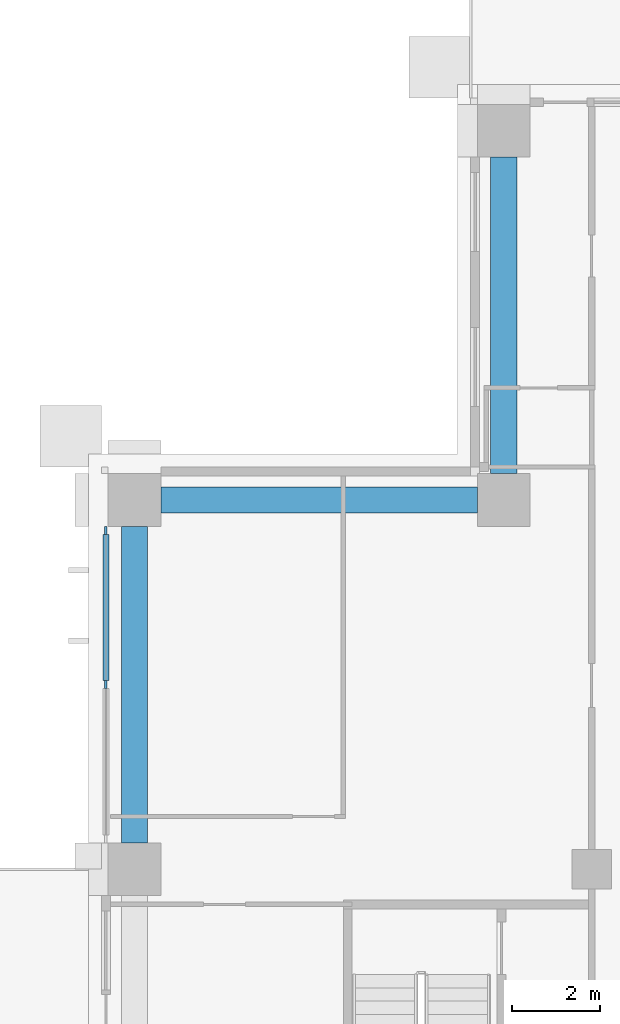
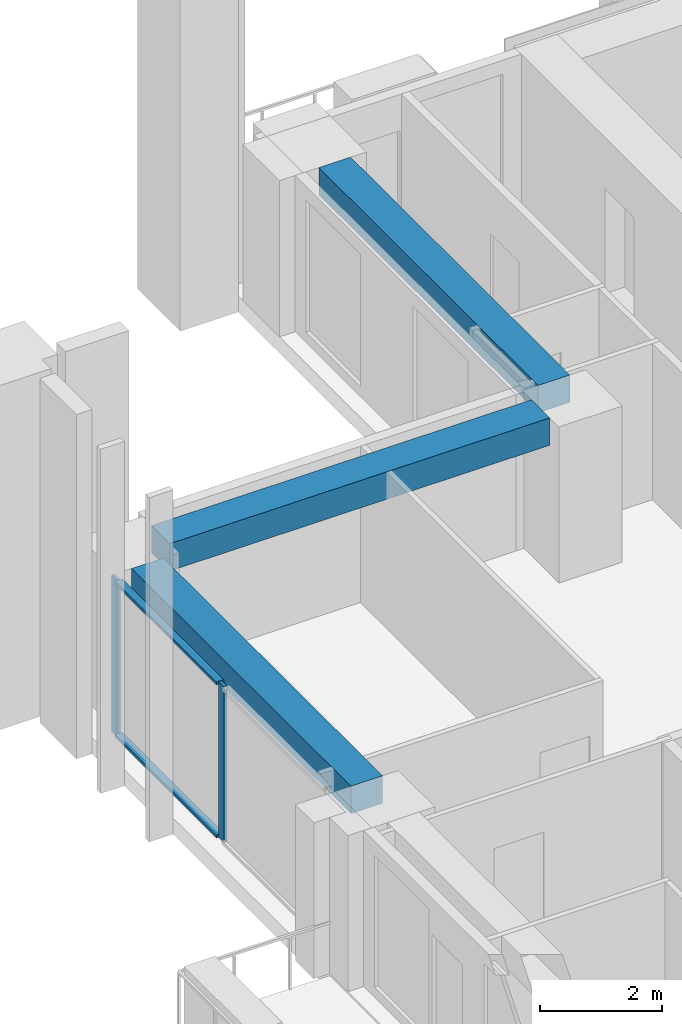
# One storey, part 5 of 19: 4 members, 3 beams, 1 element without a shape of its own.
"""IFC4 building model written with IfcOpenShell, lengths in metres."""

from ifc_helpers import new_model, si_unit, direction, frame, origin, origin_2d, place, context, subcontext, project, spatial, rectangle, extrude, material, material_profile, profile_set, type_object, element, aggregate, save


model = new_model("IFC4")

# Units and contexts
model_context = context("Model", 3, precision=1e-05, world=origin(), true_north=direction((0.0, 1.0)))
body_context = subcontext(model_context, "Body", "Model", "MODEL_VIEW")
ifc_project = project(units=[si_unit("LENGTHUNIT", "METRE"), si_unit("AREAUNIT", "SQUARE_METRE"), si_unit("VOLUMEUNIT", "CUBIC_METRE"), si_unit("PLANEANGLEUNIT", "RADIAN"), si_unit("MASSUNIT", "GRAM", prefix="KILO")], contexts=[model_context])

# Site, building, storey
site_placement = place(None, origin())
site = spatial("IfcSite", under=ifc_project, at=site_placement, CompositionType="ELEMENT")
building_placement = place(site_placement, origin())
building = spatial("IfcBuilding", under=site, at=building_placement, Name="Vermilion Ogive Tower", CompositionType="ELEMENT")
storey_placement = place(building_placement, frame((0.0, 0.0, 104.550048828125)))
storey = spatial("IfcBuildingStorey", under=building, at=storey_placement, Name="L26", CompositionType="ELEMENT", Elevation=104.550048828125)

# Curtain wall, members
ifc_material_1 = material(Name="Low-iron laminated glazing in aluminium frame", Category="aluminium")
curtain_wall_type = type_object("IfcCurtainWallType", Name="Curtain wall CW7", PredefinedType="NOTDEFINED", material=ifc_material_1)
curtain_wall_placement = place(storey_placement, origin())
curtain_wall = element("IfcCurtainWall", 1, at=curtain_wall_placement, inside=storey, type_object=curtain_wall_type, Name="Glazed skin W1", PredefinedType="NOTDEFINED")
ifc_material_2 = material(Name="Aluminium mullion", Category="aluminium")
ifc_material_profile_1 = material_profile(ifc_material_2, rectangle(XDim=0.06005859375, YDim=0.179931640625, at=origin_2d()), Name="AL 60x180")
ifc_profile_set_1 = profile_set([ifc_material_profile_1], Name="Aluminium mullion")
member_type_1 = type_object("IfcMemberType", Name="CW7 mullion 60x180", PredefinedType="MULLION", material=ifc_profile_set_1)
member_1_placement = place(storey_placement, frame((-25.85009765625, 11.909912109375, 0.0), z_axis=(0.0, 0.0, 1.0), x_axis=(1.0, 0.0, 0.0)))
member_1 = element("IfcMember", 2, at=member_1_placement, type_object=member_type_1, Name="CW7-W1 mullion 1", PredefinedType="MULLION", context=body_context, shape_type="SweptSolid", body=[
    extrude(rectangle(XDim=0.06005859375, YDim=0.179931640625, at=origin_2d()), origin(), (0.0, 0.0, 1.0), 3.1298828125),
])
member_2_placement = place(storey_placement, frame((-25.85009765625, 8.39990234375, 0.0), z_axis=(0.0, 0.0, 1.0), x_axis=(1.0, 0.0, 0.0)))
member_2 = element("IfcMember", 3, at=member_2_placement, type_object=member_type_1, Name="CW7-W1 mullion 2", PredefinedType="MULLION", context=body_context, shape_type="SweptSolid", body=[
    extrude(rectangle(XDim=0.06005859375, YDim=0.179931640625, at=origin_2d()), origin(), (0.0, 0.0, 1.0), 3.1298828125),
])
ifc_material_3 = material(Name="Aluminium transom", Category="aluminium")
ifc_material_profile_2 = material_profile(ifc_material_3, rectangle(XDim=0.139892578125, YDim=0.06005859375, at=origin_2d()), Name="AL 60x140")
ifc_profile_set_2 = profile_set([ifc_material_profile_2], Name="Aluminium transom")
member_type_2 = type_object("IfcMemberType", Name="CW7 transom 60x140", PredefinedType="USERDEFINED", material=ifc_profile_set_2)
member_3_placement = place(storey_placement, frame((-25.85009765625, 11.820068359375, 0.030029296875), z_axis=(0.0, -1.0, 0.0), x_axis=(1.0, 0.0, 0.0)))
member_3 = element("IfcMember", 4, at=member_3_placement, type_object=member_type_2, Name="CW7-W1 transom 1.1", ObjectType="TRANSOM", PredefinedType="USERDEFINED", context=body_context, shape_type="SweptSolid", body=[
    extrude(rectangle(XDim=0.139892578125, YDim=0.06005859375, at=origin_2d()), origin(), (0.0, 0.0, 1.0), 3.330078125),
])
member_4_placement = place(storey_placement, frame((-25.85009765625, 11.820068359375, 3.099853515625), z_axis=(0.0, -1.0, 0.0), x_axis=(1.0, 0.0, 0.0)))
member_4 = element("IfcMember", 5, at=member_4_placement, type_object=member_type_2, Name="CW7-W1 transom 1.2", ObjectType="TRANSOM", PredefinedType="USERDEFINED", context=body_context, shape_type="SweptSolid", body=[
    extrude(rectangle(XDim=0.139892578125, YDim=0.06005859375, at=origin_2d()), origin(), (0.0, 0.0, 1.0), 3.330078125),
])
aggregate(curtain_wall, [member_1, member_2, member_3, member_4])

# Beams
ifc_material_4 = material(Name="Concrete B45", Category="concrete")
ifc_material_profile_3 = material_profile(ifc_material_4, rectangle(XDim=0.60009765625, YDim=0.550048828125, at=origin_2d()), Name="600 x 550")
ifc_profile_set_3 = profile_set([ifc_material_profile_3], Name="Concrete B45")
beam_type = type_object("IfcBeamType", Name="Edge beam 600 x 550 B45", PredefinedType="BEAM", material=ifc_profile_set_3)
beam_1_placement = place(storey_placement, frame((-16.800048828125, 20.39990234375, 2.85498046875), z_axis=(0.0, -1.0, 0.0), x_axis=(1.0, 0.0, 0.0)))
element("IfcBeam", 6, at=beam_1_placement, inside=storey, type_object=beam_type, Name="L26-EB-12", PredefinedType="BEAM", context=body_context, shape_type="SweptSolid", body=[
    extrude(rectangle(XDim=0.60009765625, YDim=0.550048828125, at=origin_2d()), origin(), (0.0, 0.0, 1.0), 7.199951171875),
])
beam_2_placement = place(storey_placement, frame((-17.39990234375, 12.60009765625, 2.85498046875), z_axis=(-1.0, 0.0, 0.0), x_axis=(0.0, -1.0, 0.0)))
element("IfcBeam", 7, at=beam_2_placement, inside=storey, type_object=beam_type, Name="L26-EB-13", PredefinedType="BEAM", context=body_context, shape_type="SweptSolid", body=[
    extrude(rectangle(XDim=0.60009765625, YDim=0.550048828125, at=origin_2d()), origin(), (0.0, 0.0, 1.0), 7.2001953125),
])
beam_3_placement = place(storey_placement, frame((-25.199951171875, 12.0, 2.85498046875), z_axis=(0.0, -1.0, 0.0), x_axis=(1.0, 0.0, 0.0)))
element("IfcBeam", 8, at=beam_3_placement, inside=storey, type_object=beam_type, Name="L26-EB-14", PredefinedType="BEAM", context=body_context, shape_type="SweptSolid", body=[
    extrude(rectangle(XDim=0.60009765625, YDim=0.550048828125, at=origin_2d()), origin(), (0.0, 0.0, 1.0), 7.199951171875),
])

save(model, "model.ifc")
